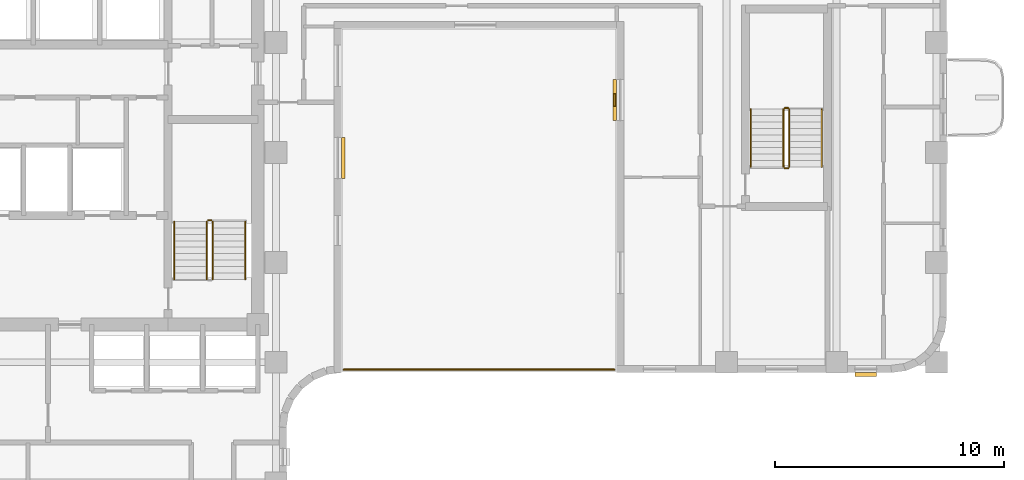
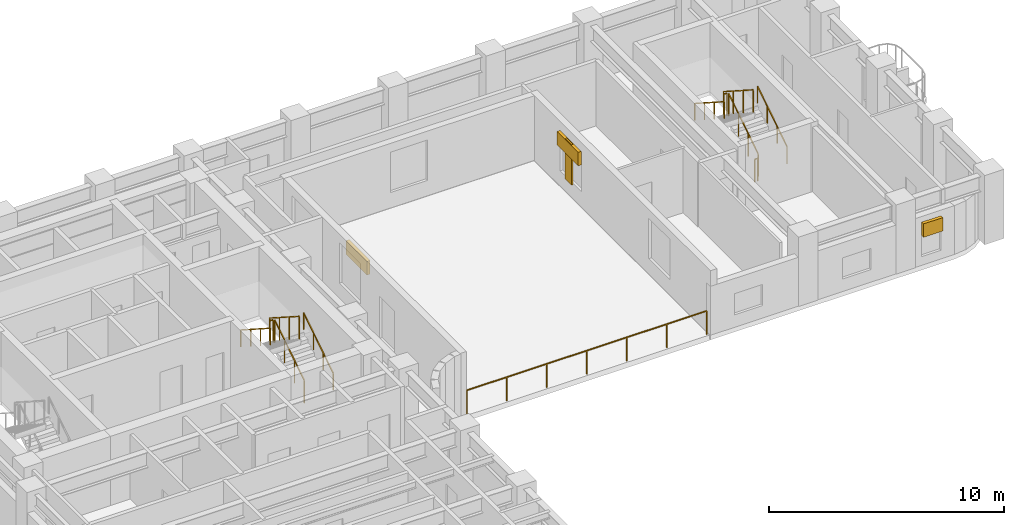
# One storey, part 8 of 9: 12 railings, 4 shading devices.
"""IFC4 building model written with IfcOpenShell, lengths in metres."""

from ifc_helpers import new_model, si_unit, direction, frame, origin, origin_2d, place, context, subcontext, project, spatial, rectangle, extrude, material, type_object, element, save


model = new_model("IFC4")

# Units and contexts
model_context = context("Model", 3, precision=1e-05, world=origin(), true_north=direction((0.0, 1.0)))
body_context = subcontext(model_context, "Body", "Model", "MODEL_VIEW")
ifc_project = project(units=[si_unit("LENGTHUNIT", "METRE"), si_unit("AREAUNIT", "SQUARE_METRE"), si_unit("VOLUMEUNIT", "CUBIC_METRE"), si_unit("PLANEANGLEUNIT", "RADIAN"), si_unit("MASSUNIT", "GRAM", prefix="KILO")], contexts=[model_context])

# Site, building, storey
site_placement = place(None, origin())
site = spatial("IfcSite", under=ifc_project, at=site_placement, CompositionType="ELEMENT")
building_placement = place(site_placement, origin())
building = spatial("IfcBuilding", under=site, at=building_placement, Name="Orvandelia Arch Residences", CompositionType="ELEMENT")
storey_placement = place(building_placement, frame((0.0, 0.0, 154.0)))
storey = spatial("IfcBuildingStorey", under=building, at=storey_placement, Name="L40", CompositionType="ELEMENT", Elevation=154.0)

# Railings
ifc_material_1 = material(Name="Marine-Grade Stainless Steel 316", Category="steel")
railing_type_1 = type_object("IfcRailingType", Name="GRD-TERR-1250", PredefinedType="GUARDRAIL", material=ifc_material_1)
railing_1_placement = place(storey_placement, frame((26.4951171875, 28.93359375, 0.0)))
element("IfcRailing", 1, at=railing_1_placement, inside=storey, type_object=railing_type_1, Name="Safety Balustrade Guard GRD-L40-TERR-L40-PORTAL-1", PredefinedType="GUARDRAIL", context=body_context, shape_type="SweptSolid", body=[
    extrude(rectangle(XDim=0.048095703125, YDim=0.048095703125, at=origin_2d()), frame((0.0, 0.0, 1.22607421875), z_axis=(1.0, 0.0, 0.0), x_axis=(0.0, 1.0, 0.0)), (0.0, 0.0, 1.0), 11.809814453125),
    extrude(rectangle(XDim=0.0419921875, YDim=0.0419921875, at=origin_2d()), origin(), (0.0, 0.0, 1.0), 1.201904296875),
    extrude(rectangle(XDim=0.0419921875, YDim=0.0419921875, at=origin_2d()), frame((1.96826171875, 0.0, 0.0)), (0.0, 0.0, 1.0), 1.201904296875),
    extrude(rectangle(XDim=0.0419921875, YDim=0.0419921875, at=origin_2d()), frame((3.9365234375, 0.0, 0.0)), (0.0, 0.0, 1.0), 1.201904296875),
    extrude(rectangle(XDim=0.0419921875, YDim=0.0419921875, at=origin_2d()), frame((5.90478515625, 0.0, 0.0)), (0.0, 0.0, 1.0), 1.201904296875),
    extrude(rectangle(XDim=0.0419921875, YDim=0.0419921875, at=origin_2d()), frame((7.873291015625, 0.0, 0.0)), (0.0, 0.0, 1.0), 1.201904296875),
    extrude(rectangle(XDim=0.0419921875, YDim=0.0419921875, at=origin_2d()), frame((9.841552734375, 0.0, 0.0)), (0.0, 0.0, 1.0), 1.201904296875),
    extrude(rectangle(XDim=0.0419921875, YDim=0.0419921875, at=origin_2d()), frame((11.809814453125, 0.0, 0.0)), (0.0, 0.0, 1.0), 1.201904296875),
])
ifc_material_2 = material(Name="Brushed Stainless Steel 304", Category="steel")
railing_type_2 = type_object("IfcRailingType", Name="RL-STAIR-GD1120", PredefinedType="GUARDRAIL", material=ifc_material_2)
railing_2_placement = place(storey_placement, frame((20.780029296875, 32.8701171875, 0.179931640625)))
element("IfcRailing", 2, at=railing_2_placement, inside=storey, type_object=railing_type_2, Name="L40 ST-2 stair guard 1", PredefinedType="GUARDRAIL", context=body_context, shape_type="SweptSolid", body=[
    extrude(rectangle(XDim=0.048095703125, YDim=0.048095703125, at=origin_2d()), frame((0.0, 0.0, 1.17578125), z_axis=(0.0, 0.841138753965, 0.540819375188), x_axis=(-1.0, 0.0, 0.0)), (0.0, 0.0, 1.0), 2.99560546875),
    extrude(rectangle(XDim=0.0419921875, YDim=0.0419921875, at=origin_2d()), origin(), (0.0, 0.0, 1.0), 1.15185546875),
    extrude(rectangle(XDim=0.0419921875, YDim=0.0419921875, at=origin_2d()), frame((0.0, 0.83984375, 0.5400390625)), (0.0, 0.0, 1.0), 1.15185546875),
    extrude(rectangle(XDim=0.0419921875, YDim=0.0419921875, at=origin_2d()), frame((0.0, 1.679931640625, 1.080078125)), (0.0, 0.0, 1.0), 1.15185546875),
    extrude(rectangle(XDim=0.0419921875, YDim=0.0419921875, at=origin_2d()), frame((0.0, 2.519775390625, 1.6201171875)), (0.0, 0.0, 1.0), 1.15185546875),
])
railing_3_placement = place(storey_placement, frame((20.72998046875, 35.43994140625, 1.800048828125)))
element("IfcRailing", 3, at=railing_3_placement, inside=storey, type_object=railing_type_2, Name="L40 ST-2 stair guard 2", PredefinedType="GUARDRAIL", context=body_context, shape_type="SweptSolid", body=[
    extrude(rectangle(XDim=0.048095703125, YDim=0.048095703125, at=origin_2d()), frame((0.0, 0.0, 1.17578125), z_axis=(-1.0, 0.0, 0.0), x_axis=(0.0, -1.0, 0.0)), (0.0, 0.0, 1.0), 0.14990234375),
    extrude(rectangle(XDim=0.0419921875, YDim=0.0419921875, at=origin_2d()), origin(), (0.0, 0.0, 1.0), 1.15185546875),
    extrude(rectangle(XDim=0.0419921875, YDim=0.0419921875, at=origin_2d()), frame((-0.14990234375, 0.0, 0.0)), (0.0, 0.0, 1.0), 1.15185546875),
])
railing_4_placement = place(storey_placement, frame((20.530029296875, 35.389892578125, 1.97998046875)))
element("IfcRailing", 4, at=railing_4_placement, inside=storey, type_object=railing_type_2, Name="L40 ST-2 stair guard 3", PredefinedType="GUARDRAIL", context=body_context, shape_type="SweptSolid", body=[
    extrude(rectangle(XDim=0.048095703125, YDim=0.048095703125, at=origin_2d()), frame((0.0, 0.0, 1.17578125), z_axis=(0.0, -0.841138753965, 0.540819375188), x_axis=(1.0, 0.0, 0.0)), (0.0, 0.0, 1.0), 2.99560546875),
    extrude(rectangle(XDim=0.0419921875, YDim=0.0419921875, at=origin_2d()), origin(), (0.0, 0.0, 1.0), 1.15185546875),
    extrude(rectangle(XDim=0.0419921875, YDim=0.0419921875, at=origin_2d()), frame((0.0, -0.83984375, 0.5400390625)), (0.0, 0.0, 1.0), 1.15185546875),
    extrude(rectangle(XDim=0.0419921875, YDim=0.0419921875, at=origin_2d()), frame((0.0, -1.679931640625, 1.080078125)), (0.0, 0.0, 1.0), 1.15185546875),
    extrude(rectangle(XDim=0.0419921875, YDim=0.0419921875, at=origin_2d()), frame((0.0, -2.519775390625, 1.6201171875)), (0.0, 0.0, 1.0), 1.15185546875),
])
railing_5_placement = place(storey_placement, frame((45.929931640625, 37.77001953125, 0.179931640625)))
element("IfcRailing", 5, at=railing_5_placement, inside=storey, type_object=railing_type_2, Name="L40 ST-3 stair guard 1", PredefinedType="GUARDRAIL", context=body_context, shape_type="SweptSolid", body=[
    extrude(rectangle(XDim=0.048095703125, YDim=0.048095703125, at=origin_2d()), frame((0.0, 0.0, 1.17578125), z_axis=(0.0, 0.841162588446, 0.540782303519), x_axis=(-1.0, 0.0, 0.0)), (0.0, 0.0, 1.0), 2.995849609375),
    extrude(rectangle(XDim=0.0419921875, YDim=0.0419921875, at=origin_2d()), origin(), (0.0, 0.0, 1.0), 1.15185546875),
    extrude(rectangle(XDim=0.0419921875, YDim=0.0419921875, at=origin_2d()), frame((0.0, 0.840087890625, 0.5400390625)), (0.0, 0.0, 1.0), 1.15185546875),
    extrude(rectangle(XDim=0.0419921875, YDim=0.0419921875, at=origin_2d()), frame((0.0, 1.679931640625, 1.080078125)), (0.0, 0.0, 1.0), 1.15185546875),
    extrude(rectangle(XDim=0.0419921875, YDim=0.0419921875, at=origin_2d()), frame((0.0, 2.52001953125, 1.6201171875)), (0.0, 0.0, 1.0), 1.15185546875),
])
railing_6_placement = place(storey_placement, frame((45.8798828125, 40.340087890625, 1.800048828125)))
element("IfcRailing", 6, at=railing_6_placement, inside=storey, type_object=railing_type_2, Name="L40 ST-3 stair guard 2", PredefinedType="GUARDRAIL", context=body_context, shape_type="SweptSolid", body=[
    extrude(rectangle(XDim=0.048095703125, YDim=0.048095703125, at=origin_2d()), frame((0.0, 0.0, 1.17578125), z_axis=(-1.0, 0.0, 0.0), x_axis=(0.0, -1.0, 0.0)), (0.0, 0.0, 1.0), 0.14990234375),
    extrude(rectangle(XDim=0.0419921875, YDim=0.0419921875, at=origin_2d()), origin(), (0.0, 0.0, 1.0), 1.15185546875),
    extrude(rectangle(XDim=0.0419921875, YDim=0.0419921875, at=origin_2d()), frame((-0.14990234375, 0.0, 0.0)), (0.0, 0.0, 1.0), 1.15185546875),
])
railing_7_placement = place(storey_placement, frame((45.679931640625, 40.2900390625, 1.97998046875)))
element("IfcRailing", 7, at=railing_7_placement, inside=storey, type_object=railing_type_2, Name="L40 ST-3 stair guard 3", PredefinedType="GUARDRAIL", context=body_context, shape_type="SweptSolid", body=[
    extrude(rectangle(XDim=0.048095703125, YDim=0.048095703125, at=origin_2d()), frame((0.0, 0.0, 1.17578125), z_axis=(0.0, -0.841162588446, 0.540782303519), x_axis=(1.0, 0.0, 0.0)), (0.0, 0.0, 1.0), 2.995849609375),
    extrude(rectangle(XDim=0.0419921875, YDim=0.0419921875, at=origin_2d()), origin(), (0.0, 0.0, 1.0), 1.15185546875),
    extrude(rectangle(XDim=0.0419921875, YDim=0.0419921875, at=origin_2d()), frame((0.0, -0.840087890625, 0.5400390625)), (0.0, 0.0, 1.0), 1.15185546875),
    extrude(rectangle(XDim=0.0419921875, YDim=0.0419921875, at=origin_2d()), frame((0.0, -1.679931640625, 1.080078125)), (0.0, 0.0, 1.0), 1.15185546875),
    extrude(rectangle(XDim=0.0419921875, YDim=0.0419921875, at=origin_2d()), frame((0.0, -2.52001953125, 1.6201171875)), (0.0, 0.0, 1.0), 1.15185546875),
])
railing_8_placement = place(storey_placement, frame((45.8798828125, 37.719970703125, 0.0)))
element("IfcRailing", 8, at=railing_8_placement, inside=storey, type_object=railing_type_2, Name="L40 ST-3 stair guard 4", PredefinedType="GUARDRAIL", context=body_context, shape_type="SweptSolid", body=[
    extrude(rectangle(XDim=0.048095703125, YDim=0.048095703125, at=origin_2d()), frame((0.0, 0.0, 1.17578125), z_axis=(-1.0, 0.0, 0.0), x_axis=(0.0, -1.0, 0.0)), (0.0, 0.0, 1.0), 0.14990234375),
    extrude(rectangle(XDim=0.0419921875, YDim=0.0419921875, at=origin_2d()), origin(), (0.0, 0.0, 1.0), 1.15185546875),
    extrude(rectangle(XDim=0.0419921875, YDim=0.0419921875, at=origin_2d()), frame((-0.14990234375, 0.0, 0.0)), (0.0, 0.0, 1.0), 1.15185546875),
])
railing_type_3 = type_object("IfcRailingType", Name="RL-STAIR-HR920", PredefinedType="HANDRAIL", material=ifc_material_2)
railing_9_placement = place(storey_placement, frame((22.199951171875, 32.8701171875, 0.360107421875)))
element("IfcRailing", 9, at=railing_9_placement, inside=storey, type_object=railing_type_3, Name="L40 ST-2 stair handrail 1", PredefinedType="HANDRAIL", context=body_context, shape_type="SweptSolid", body=[
    extrude(rectangle(XDim=0.048095703125, YDim=0.048095703125, at=origin_2d()), frame((0.0, 0.0, 0.8759765625), z_axis=(0.0, 0.841175827307, 0.540761710511), x_axis=(-1.0, 0.0, 0.0)), (0.0, 0.0, 1.0), 2.99560546875),
    extrude(rectangle(XDim=0.0419921875, YDim=0.0419921875, at=origin_2d()), origin(), (0.0, 0.0, 1.0), 0.851806640625),
    extrude(rectangle(XDim=0.0419921875, YDim=0.0419921875, at=origin_2d()), frame((0.0, 0.83984375, 0.5400390625)), (0.0, 0.0, 1.0), 0.851806640625),
    extrude(rectangle(XDim=0.0419921875, YDim=0.0419921875, at=origin_2d()), frame((0.0, 1.679931640625, 1.079833984375)), (0.0, 0.0, 1.0), 0.851806640625),
    extrude(rectangle(XDim=0.0419921875, YDim=0.0419921875, at=origin_2d()), frame((0.0, 2.519775390625, 1.619873046875)), (0.0, 0.0, 1.0), 0.851806640625),
])
railing_10_placement = place(storey_placement, frame((19.110107421875, 35.389892578125, 2.159912109375)))
element("IfcRailing", 10, at=railing_10_placement, inside=storey, type_object=railing_type_3, Name="L40 ST-2 stair handrail 2", PredefinedType="HANDRAIL", context=body_context, shape_type="SweptSolid", body=[
    extrude(rectangle(XDim=0.048095703125, YDim=0.048095703125, at=origin_2d()), frame((0.0, 0.0, 0.8759765625), z_axis=(0.0, -0.841138753965, 0.540819375188), x_axis=(1.0, 0.0, 0.0)), (0.0, 0.0, 1.0), 2.99560546875),
    extrude(rectangle(XDim=0.0419921875, YDim=0.0419921875, at=origin_2d()), origin(), (0.0, 0.0, 1.0), 0.851806640625),
    extrude(rectangle(XDim=0.0419921875, YDim=0.0419921875, at=origin_2d()), frame((0.0, -0.83984375, 0.5400390625)), (0.0, 0.0, 1.0), 0.851806640625),
    extrude(rectangle(XDim=0.0419921875, YDim=0.0419921875, at=origin_2d()), frame((0.0, -1.679931640625, 1.080078125)), (0.0, 0.0, 1.0), 0.851806640625),
    extrude(rectangle(XDim=0.0419921875, YDim=0.0419921875, at=origin_2d()), frame((0.0, -2.519775390625, 1.6201171875)), (0.0, 0.0, 1.0), 0.851806640625),
])
railing_11_placement = place(storey_placement, frame((47.35009765625, 37.77001953125, 0.360107421875)))
element("IfcRailing", 11, at=railing_11_placement, inside=storey, type_object=railing_type_3, Name="L40 ST-3 stair handrail 1", PredefinedType="HANDRAIL", context=body_context, shape_type="SweptSolid", body=[
    extrude(rectangle(XDim=0.048095703125, YDim=0.048095703125, at=origin_2d()), frame((0.0, 0.0, 0.8759765625), z_axis=(0.0, 0.841199657755, 0.540724639528), x_axis=(-1.0, 0.0, 0.0)), (0.0, 0.0, 1.0), 2.995849609375),
    extrude(rectangle(XDim=0.0419921875, YDim=0.0419921875, at=origin_2d()), origin(), (0.0, 0.0, 1.0), 0.851806640625),
    extrude(rectangle(XDim=0.0419921875, YDim=0.0419921875, at=origin_2d()), frame((0.0, 0.840087890625, 0.5400390625)), (0.0, 0.0, 1.0), 0.851806640625),
    extrude(rectangle(XDim=0.0419921875, YDim=0.0419921875, at=origin_2d()), frame((0.0, 1.679931640625, 1.079833984375)), (0.0, 0.0, 1.0), 0.851806640625),
    extrude(rectangle(XDim=0.0419921875, YDim=0.0419921875, at=origin_2d()), frame((0.0, 2.52001953125, 1.619873046875)), (0.0, 0.0, 1.0), 0.851806640625),
])
railing_12_placement = place(storey_placement, frame((44.260009765625, 40.2900390625, 2.159912109375)))
element("IfcRailing", 12, at=railing_12_placement, inside=storey, type_object=railing_type_3, Name="L40 ST-3 stair handrail 2", PredefinedType="HANDRAIL", context=body_context, shape_type="SweptSolid", body=[
    extrude(rectangle(XDim=0.048095703125, YDim=0.048095703125, at=origin_2d()), frame((0.0, 0.0, 0.8759765625), z_axis=(0.0, -0.841162588446, 0.540782303519), x_axis=(1.0, 0.0, 0.0)), (0.0, 0.0, 1.0), 2.995849609375),
    extrude(rectangle(XDim=0.0419921875, YDim=0.0419921875, at=origin_2d()), origin(), (0.0, 0.0, 1.0), 0.851806640625),
    extrude(rectangle(XDim=0.0419921875, YDim=0.0419921875, at=origin_2d()), frame((0.0, -0.840087890625, 0.5400390625)), (0.0, 0.0, 1.0), 0.851806640625),
    extrude(rectangle(XDim=0.0419921875, YDim=0.0419921875, at=origin_2d()), frame((0.0, -1.679931640625, 1.080078125)), (0.0, 0.0, 1.0), 0.851806640625),
    extrude(rectangle(XDim=0.0419921875, YDim=0.0419921875, at=origin_2d()), frame((0.0, -2.52001953125, 1.6201171875)), (0.0, 0.0, 1.0), 0.851806640625),
])

# Shading devices
ifc_material_3 = material(Name="Anodised Champagne-Bronze Extruded Aluminium", Category="aluminium")
shading_device_type_1 = type_object("IfcShadingDeviceType", Name="SHD-JALOUSIE-SCREEN", PredefinedType="JALOUSIE", material=ifc_material_3)
shading_device_1_placement = place(storey_placement, frame((49.26904296875, 28.719970703125, 1.5498046875), z_axis=(0.0, 0.0, 1.0), x_axis=(-1.0, 0.0, 0.0)))
element("IfcShadingDevice", 13, at=shading_device_1_placement, inside=storey, type_object=shading_device_type_1, Name="Bronze Jalousie Sun-Shade L40-002", PredefinedType="JALOUSIE", context=body_context, shape_type="SweptSolid", body=[
    extrude(rectangle(XDim=0.949951171875, YDim=0.159912109375, at=origin_2d()), origin(), (0.0, 0.0, 1.0), 0.699951171875),
])
for number, where, z_axis, x_axis, name in (
    (14, (38.320068359375, 40.68994140625, 2.2001953125), (0.0, 0.0, 1.0), (0.0, 1.0, 0.0), "Bronze Jalousie Sun-Shade L40-003"),
    (15, (26.47998046875, 38.1650390625, 2.2001953125), (0.0, 0.0, 1.0), (0.0, -1.0, 0.0), "Bronze Jalousie Sun-Shade L40-004"),
):
    element("IfcShadingDevice", number, at=place(storey_placement, frame(where, z_axis=z_axis, x_axis=x_axis)), inside=storey, type_object=shading_device_type_1, Name=name, PredefinedType="JALOUSIE", context=body_context, shape_type="SweptSolid", body=[
        extrude(rectangle(XDim=1.800048828125, YDim=0.159912109375, at=origin_2d()), origin(), (0.0, 0.0, 1.0), 0.699951171875),
    ])
ifc_material_4 = material(Name="Marine-Grade Perforated Aluminium Storm Shutter", Category="aluminium")
shading_device_type_2 = type_object("IfcShadingDeviceType", Name="SHD-STORM-SHUTTER", PredefinedType="SHUTTER", material=ifc_material_4)
shading_device_2_placement = place(storey_placement, frame((38.320068359375, 40.68994140625, 0.800048828125), z_axis=(0.0, 0.0, 1.0), x_axis=(0.0, 1.0, 0.0)))
element("IfcShadingDevice", 16, at=shading_device_2_placement, inside=storey, type_object=shading_device_type_2, Name="Operable Typhoon Storm Shutter L40-003", PredefinedType="SHUTTER", context=body_context, shape_type="SweptSolid", body=[
    extrude(rectangle(XDim=0.550048828125, YDim=0.080078125, at=origin_2d()), origin(), (0.0, 0.0, 1.0), 2.10009765625),
])

save(model, "model.ifc")
